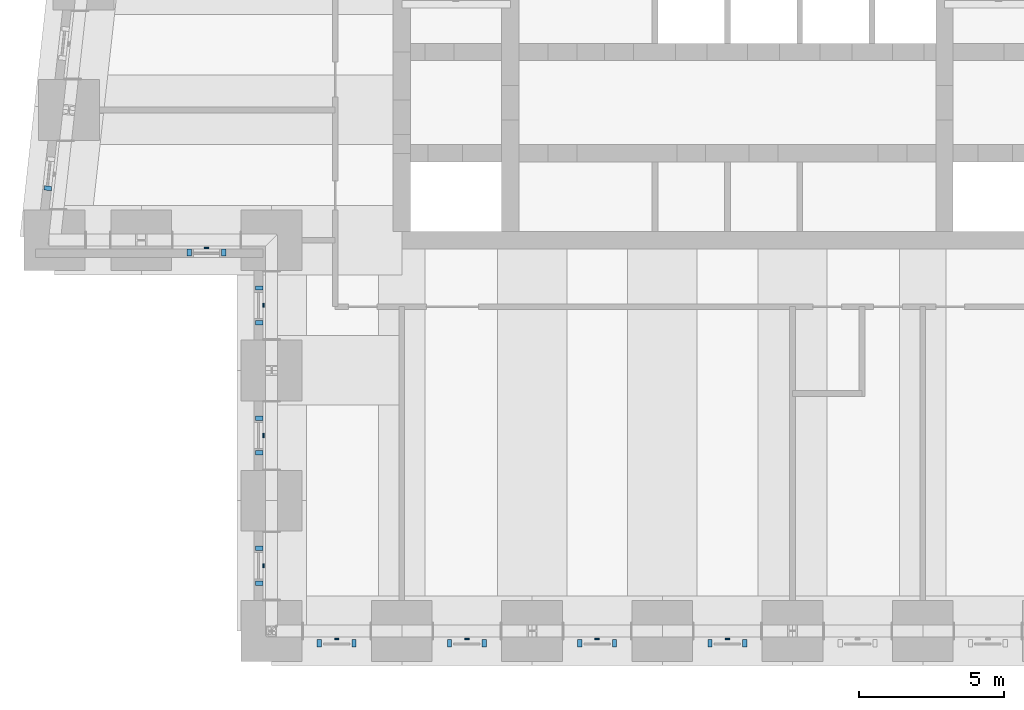
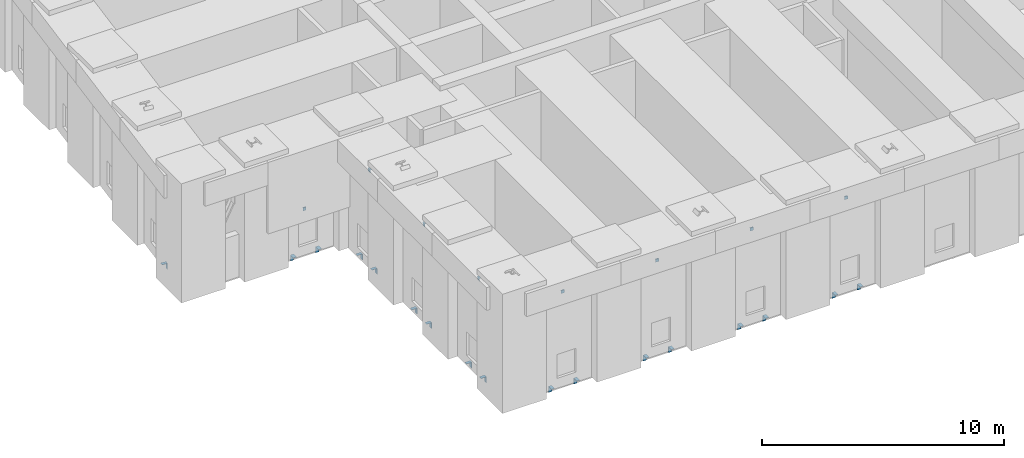
# One storey, part 9 of 17: 25 discrete accessories.
"""IFC4 building model written with IfcOpenShell, lengths in metres."""

from ifc_helpers import new_model, si_unit, direction, frame, origin, place, context, subcontext, project, spatial, polyline, outline, extrude, source, transform, mapped, material, layer, layer_set, type_object, element, save


model = new_model("IFC4")

# Units and contexts
model_context = context("Model", 3, precision=1e-05, world=origin(), true_north=direction((0.0, 1.0)))
body_context = subcontext(model_context, "Body", "Model", "MODEL_VIEW")
ifc_project = project(units=[si_unit("LENGTHUNIT", "METRE"), si_unit("AREAUNIT", "SQUARE_METRE"), si_unit("VOLUMEUNIT", "CUBIC_METRE"), si_unit("PLANEANGLEUNIT", "RADIAN"), si_unit("MASSUNIT", "GRAM", prefix="KILO")], contexts=[model_context])

# Site, building, storey
site_placement = place(None, origin())
site = spatial("IfcSite", under=ifc_project, at=site_placement, CompositionType="ELEMENT")
building_placement = place(site_placement, origin())
building = spatial("IfcBuilding", under=site, at=building_placement, Name="Kilele Tower Hotel", CompositionType="ELEMENT")
storey_placement = place(building_placement, frame((0.0, 0.0, 211.39990234375)))
storey = spatial("IfcBuildingStorey", under=building, at=storey_placement, Name="L55", CompositionType="ELEMENT", Elevation=211.39990234375)

# Discrete accessories
ifc_material_1 = material(Name="Hot-dip galvanized steel S355", Category="steel")
ifc_layer_1 = layer(ifc_material_1, 0.014892578125)
ifc_layer_set_1 = layer_set([ifc_layer_1], Name="Hot-dip galvanized steel S355")
discrete_accessory_type_1 = type_object("IfcDiscreteAccessoryType", Name="Facade panel bearing bracket 250x150x15", PredefinedType="BRACKET", material=ifc_layer_set_1)
shared_shape_1 = source(origin(), body_context, "Body", "SweptSolid", [
    extrude(outline(polyline([(0.0, 0.0), (0.25, 0.0), (0.25, -0.014892578125), (0.014892578125, -0.014892578125), (0.014892578125, -0.300048828125), (0.0, -0.300048828125), (0.0, 0.0)])), origin(), (0.0, 0.0, 1.0), 0.14990234375),
])
for number, where, z_axis, x_axis, name in (
    (1, (6.22509765625, 13.199951171875, 0.0), (-1.0, 0.0, 0.0), (0.0, -1.0, 0.0), "Facade panel bearing bracket L55"),
    (2, (7.425048828125, 13.199951171875, 0.0), (-1.0, 0.0, 0.0), (0.0, -1.0, 0.0), "Facade panel bearing bracket L55"),
    (3, (8.699951171875, 11.77490234375, 0.0), (0.0, 1.0, 0.0), (-1.0, 0.0, 0.0), "Facade panel bearing bracket L55"),
    (4, (8.699951171875, 10.574951171875, 0.0), (0.0, 1.0, 0.0), (-1.0, 0.0, 0.0), "Facade panel bearing bracket L55"),
    (5, (8.699951171875, 7.27490234375, 0.0), (0.0, 1.0, 0.0), (-1.0, 0.0, 0.0), "Facade panel bearing bracket L55"),
    (6, (8.699951171875, 6.074951171875, 0.0), (0.0, 1.0, 0.0), (-1.0, 0.0, 0.0), "Facade panel bearing bracket L55"),
    (7, (8.699951171875, 2.77490234375, 0.0), (0.0, 1.0, 0.0), (-1.0, 0.0, 0.0), "Facade panel bearing bracket L55"),
    (8, (8.699951171875, 1.574951171875, 0.0), (0.0, 1.0, 0.0), (-1.0, 0.0, 0.0), "Facade panel bearing bracket L55"),
    (9, (10.72509765625, -0.300048828125, 0.0), (-1.0, 0.0, 0.0), (0.0, -1.0, 0.0), "Facade panel bearing bracket L55"),
    (10, (11.925048828125, -0.300048828125, 0.0), (-1.0, 0.0, 0.0), (0.0, -1.0, 0.0), "Facade panel bearing bracket L55"),
    (11, (15.22509765625, -0.300048828125, 0.0), (-1.0, 0.0, 0.0), (0.0, -1.0, 0.0), "Facade panel bearing bracket L55"),
    (12, (16.425048828125, -0.300048828125, 0.0), (-1.0, 0.0, 0.0), (0.0, -1.0, 0.0), "Facade panel bearing bracket L55"),
    (13, (19.72509765625, -0.300048828125, 0.0), (-1.0, 0.0, 0.0), (0.0, -1.0, 0.0), "Facade panel bearing bracket L55"),
    (14, (20.925048828125, -0.300048828125, 0.0), (-1.0, 0.0, 0.0), (0.0, -1.0, 0.0), "Facade panel bearing bracket L55"),
    (15, (24.22509765625, -0.300048828125, 0.0), (-1.0, 0.0, 0.0), (0.0, -1.0, 0.0), "Facade panel bearing bracket L55"),
    (16, (25.425048828125, -0.300048828125, 0.0), (-1.0, 0.0, 0.0), (0.0, -1.0, 0.0), "Facade panel bearing bracket L55"),
    (17, (1.387939453125, 15.20751953125, 0.0), (0.110432, 0.993884, 0.0), (-0.993884, 0.110432, 0.0), "Facade panel bearing bracket L55"),
):
    element("IfcDiscreteAccessory", number, at=place(storey_placement, frame(where, z_axis=z_axis, x_axis=x_axis)), inside=storey, type_object=discrete_accessory_type_1, Name=name, PredefinedType="BRACKET", context=body_context, shape_type="MappedRepresentation", body=[
        mapped(shared_shape_1, transform((0.0, 0.0, 0.0))),
    ])
ifc_material_2 = material(Name="Hot-dip galvanized steel S355", Category="steel")
ifc_layer_2 = layer(ifc_material_2, 0.011962890625)
ifc_layer_set_2 = layer_set([ifc_layer_2], Name="Hot-dip galvanized steel S355")
discrete_accessory_type_2 = type_object("IfcDiscreteAccessoryType", Name="Facade panel restraint bracket 150x50x12", PredefinedType="BRACKET", material=ifc_layer_set_2)
shared_shape_2 = source(origin(), body_context, "Body", "SweptSolid", [
    extrude(outline(polyline([(0.0, 0.0), (0.0, -0.14990234375), (-0.011962890625, -0.14990234375), (-0.011962890625, -0.011962890625), (-0.050048828125, -0.011962890625), (-0.050048828125, 0.0), (0.0, 0.0)])), origin(), (0.0, 0.0, 1.0), 0.14990234375),
])
for number, where, z_axis, x_axis, name in (
    (18, (6.824951171875, 13.199951171875, 2.150146484375), (-1.0, 0.0, 0.0), (0.0, -1.0, 0.0), "Facade panel restraint bracket L55"),
    (19, (8.699951171875, 11.175048828125, 4.60009765625), (0.0, 1.0, 0.0), (-1.0, 0.0, 0.0), "Facade panel restraint bracket L55"),
    (20, (8.699951171875, 6.675048828125, 4.60009765625), (0.0, 1.0, 0.0), (-1.0, 0.0, 0.0), "Facade panel restraint bracket L55"),
    (21, (8.699951171875, 2.175048828125, 4.60009765625), (0.0, 1.0, 0.0), (-1.0, 0.0, 0.0), "Facade panel restraint bracket L55"),
    (22, (11.324951171875, -0.300048828125, 4.60009765625), (-1.0, 0.0, 0.0), (0.0, -1.0, 0.0), "Facade panel restraint bracket L55"),
    (23, (15.824951171875, -0.300048828125, 4.60009765625), (-1.0, 0.0, 0.0), (0.0, -1.0, 0.0), "Facade panel restraint bracket L55"),
    (24, (20.324951171875, -0.300048828125, 4.60009765625), (-1.0, 0.0, 0.0), (0.0, -1.0, 0.0), "Facade panel restraint bracket L55"),
    (25, (24.824951171875, -0.300048828125, 4.60009765625), (-1.0, 0.0, 0.0), (0.0, -1.0, 0.0), "Facade panel restraint bracket L55"),
):
    element("IfcDiscreteAccessory", number, at=place(storey_placement, frame(where, z_axis=z_axis, x_axis=x_axis)), inside=storey, type_object=discrete_accessory_type_2, Name=name, PredefinedType="BRACKET", context=body_context, shape_type="MappedRepresentation", body=[
        mapped(shared_shape_2, transform((0.0, 0.0, 0.0))),
    ])

save(model, "model.ifc")
